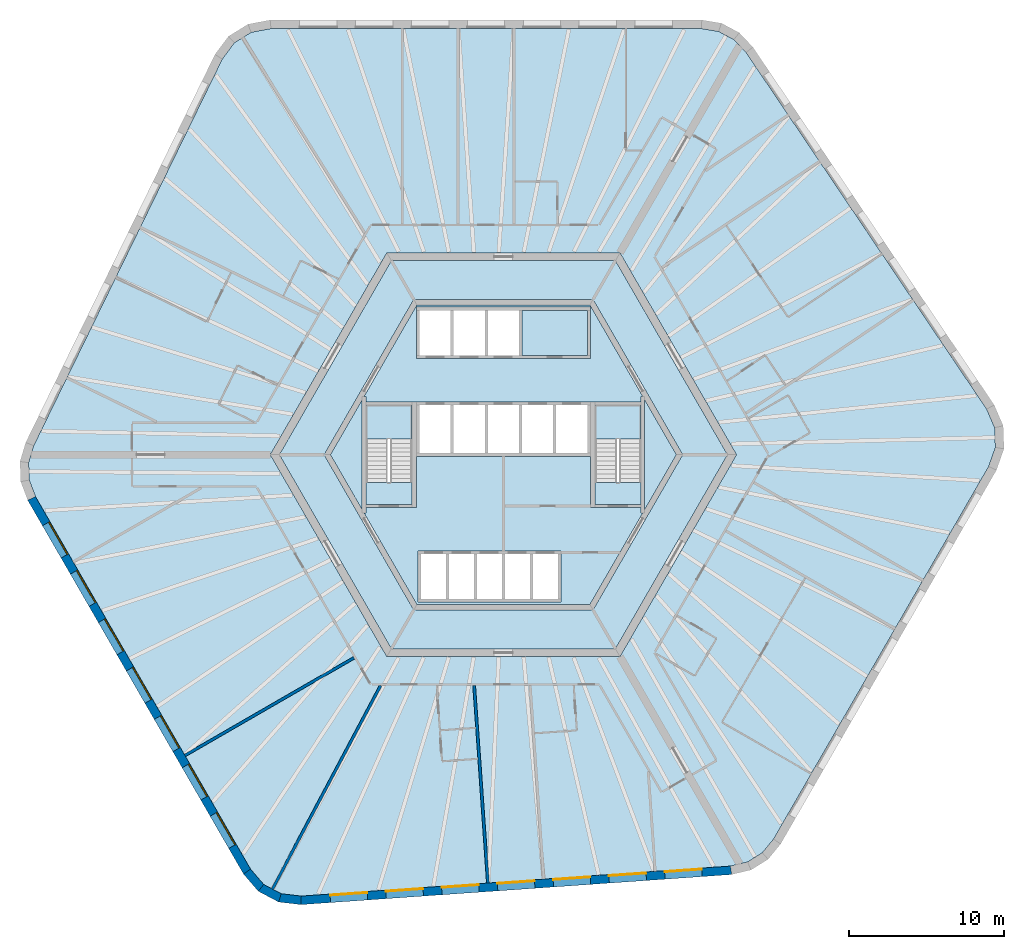
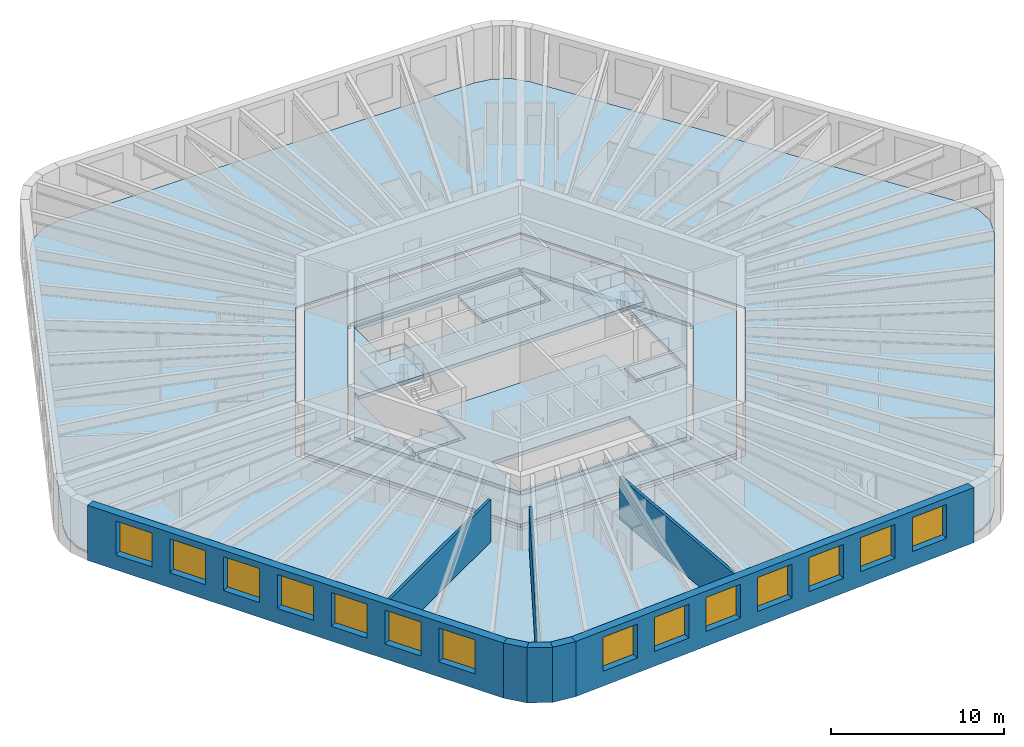
# One storey, part 2 of 9: 14 windows, 11 slabs, 8 walls, 14 openings, 2 elements without a shape of their own.
"""IFC4 building model written with IfcOpenShell, lengths in metres."""

from ifc_helpers import new_model, si_unit, direction, frame, frame_2d, origin, place, context, subcontext, project, spatial, polyline, rectangle, outline, extrude, material, layer, layer_set, type_object, element, fill, aggregate, save


model = new_model("IFC4")

# Units and contexts
model_context = context("Model", 3, precision=1e-05, world=origin(), true_north=direction((0.0, 1.0)))
body_context = subcontext(model_context, "Body", "Model", "MODEL_VIEW")
ifc_project = project(units=[si_unit("LENGTHUNIT", "METRE"), si_unit("AREAUNIT", "SQUARE_METRE"), si_unit("VOLUMEUNIT", "CUBIC_METRE"), si_unit("PLANEANGLEUNIT", "RADIAN"), si_unit("MASSUNIT", "GRAM", prefix="KILO")], contexts=[model_context])

# Site, building, storey
site_placement = place(None, origin())
site = spatial("IfcSite", under=ifc_project, at=site_placement, CompositionType="ELEMENT")
building_placement = place(site_placement, origin())
building = spatial("IfcBuilding", under=site, at=building_placement, Name="Tarnside Tower", CompositionType="ELEMENT")
storey_placement = place(building_placement, frame((0.0, 0.0, 222.89990234375)))
storey = spatial("IfcBuildingStorey", under=building, at=storey_placement, Name="L53", CompositionType="ELEMENT", Elevation=222.89990234375)

# Slabs
ifc_material_1 = material(Name="Concrete C35/45", Category="concrete")
ifc_layer_1 = layer(ifc_material_1, 0.14990234375)
ifc_layer_set_1 = layer_set([ifc_layer_1], Name="Composite floor slab 150")
slab_type_1 = type_object("IfcSlabType", Name="Composite floor slab 150", PredefinedType="FLOOR", material=ifc_layer_set_1)
slab_1_placement = place(storey_placement, frame((0.0, 0.0, -0.14990234375)))
element("IfcSlab", 1, at=slab_1_placement, inside=storey, type_object=slab_type_1, Name="Floor slab L53", PredefinedType="FLOOR", context=body_context, shape_type="SweptSolid", body=[
    extrude(outline(polyline([(13.864013671875, 27.264892578125), (14.85107421875, 26.740234375), (15.6337890625, 25.91064453125), (31.12890625, 2.938232421875), (31.644287109375, 1.7431640625), (31.68896484375, 0.468505859375), (31.258056640625, -0.759521484375), (17.403076171875, -24.7568359375), (16.68017578125, -25.63916015625), (15.732177734375, -26.2314453125), (14.622314453125, -26.494384765625), (-13.02001953125, -28.427490234375), (-14.3125, -28.2763671875), (-15.438720703125, -27.677490234375), (-16.286865234375, -26.6904296875), (-30.1416015625, -2.693115234375), (-30.544189453125, -1.6259765625), (-30.583251953125, -0.5087890625), (-30.256103515625, 0.583984375), (-18.10888671875, 25.4892578125), (-17.331787109375, 26.533203125), (-16.250244140625, 27.208984375), (-14.97119140625, 27.449951171875), (12.738525390625, 27.449951171875), (13.864013671875, 27.264892578125)]), holes=[polyline([(-15.010986328125, 0.0), (-7.505615234375, -13.0), (7.505615234375, -13.0), (15.010986328125, 0.0), (7.505615234375, 13.0), (-7.505615234375, 13.0), (-15.010986328125, 0.0)])]), origin(), (0.0, 0.0, 1.0), 0.14990234375),
])
ifc_material_2 = material(Name="Concrete C40/50", Category="concrete")
ifc_layer_2 = layer(ifc_material_2, 0.25)
ifc_layer_set_2 = layer_set([ifc_layer_2], Name="Core slab C40/50")
slab_type_2 = type_object("IfcSlabType", Name="Core slab C40/50", PredefinedType="FLOOR", material=ifc_layer_set_2)
slab_2_placement = place(storey_placement, frame((0.0, 0.0, -0.25)))
element("IfcSlab", 2, at=slab_2_placement, inside=storey, type_object=slab_type_2, Name="L53 core floor slab 1", PredefinedType="FLOOR", context=body_context, shape_type="SweptSolid", body=[
    extrude(outline(polyline([(-7.216796875, 12.5), (7.216796875, 12.5), (14.433837890625, 0.0), (7.216796875, -12.5), (-7.216796875, -12.5), (-14.433837890625, 0.0), (-7.216796875, 12.5)]), holes=[polyline([(5.823974609375, -9.91259765625), (11.49658203125, -0.08740234375), (11.344970703125, 0.0), (11.49658203125, 0.08740234375), (5.823974609375, 9.91259765625), (5.672607421875, 9.824951171875), (5.672607421875, 10.0), (-5.672607421875, 10.0), (-5.672607421875, 9.824951171875), (-5.823974609375, 9.91259765625), (-11.49658203125, 0.08740234375), (-11.344970703125, 0.0), (-11.49658203125, -0.08740234375), (-5.823974609375, -9.91259765625), (-5.672607421875, -9.824951171875), (-5.672607421875, -10.0), (5.672607421875, -10.0), (5.672607421875, -9.824951171875), (5.823974609375, -9.91259765625)])]), origin(), (0.0, 0.0, 1.0), 0.25),
])
slab_3_placement = place(storey_placement, frame((0.0, 0.0, -0.25)))
element("IfcSlab", 3, at=slab_3_placement, inside=storey, type_object=slab_type_2, Name="L53 core floor slab 2", PredefinedType="FLOOR", context=body_context, shape_type="SweptSolid", body=[
    extrude(outline(polyline([(-8.97509765625, 3.7548828125), (-5.5712890625, 9.64990234375), (5.5712890625, 9.64990234375), (8.97509765625, 3.7548828125), (8.85009765625, 3.7548828125), (8.85009765625, 3.39990234375), (5.89990234375, 3.39990234375), (5.60009765625, 3.39990234375), (5.60009765625, 3.39990234375), (-5.60009765625, 3.39990234375), (-5.89990234375, 3.39990234375), (-8.85009765625, 3.39990234375), (-8.85009765625, 3.7548828125), (-8.97509765625, 3.7548828125)]), holes=[polyline([(-5.60009765625, 6.199951171875), (5.60009765625, 6.199951171875), (5.60009765625, 6.39990234375), (5.60009765625, 9.300048828125), (5.60009765625, 9.5), (-5.60009765625, 9.5), (-5.60009765625, 9.300048828125), (-5.60009765625, 6.39990234375), (-5.60009765625, 6.199951171875)])]), origin(), (0.0, 0.0, 1.0), 0.25),
])
slab_4_placement = place(storey_placement, frame((0.0, 0.0, -0.25)))
element("IfcSlab", 4, at=slab_4_placement, inside=storey, type_object=slab_type_2, Name="L53 core floor slab 3", PredefinedType="FLOOR", context=body_context, shape_type="SweptSolid", body=[
    extrude(outline(polyline([(5.60009765625, -3.39990234375), (5.89990234375, -3.39990234375), (8.85009765625, -3.39990234375), (8.85009765625, -3.7548828125), (8.97509765625, -3.7548828125), (5.5712890625, -9.64990234375), (-5.5712890625, -9.64990234375), (-8.97509765625, -3.7548828125), (-8.85009765625, -3.7548828125), (-8.85009765625, -3.39990234375), (-5.89990234375, -3.39990234375), (-5.60009765625, -3.39990234375), (-5.60009765625, -0.10009765625), (5.60009765625, -0.10009765625), (5.60009765625, -3.39990234375)]), holes=[polyline([(-5.5, -9.300048828125), (-5.5, -9.5), (3.699951171875, -9.5), (3.699951171875, -9.300048828125), (3.699951171875, -6.39990234375), (3.699951171875, -6.199951171875), (-5.5, -6.199951171875), (-5.5, -6.39990234375), (-5.5, -9.300048828125)])]), origin(), (0.0, 0.0, 1.0), 0.25),
])
slab_5_placement = place(storey_placement, frame((0.0, 0.0, -0.25)))
element("IfcSlab", 5, at=slab_5_placement, inside=storey, type_object=slab_type_2, Name="L53 core floor slab 4", PredefinedType="FLOOR", context=body_context, shape_type="SweptSolid", body=[
    extrude(outline(polyline([(-11.142822265625, 0.0), (-9.10009765625, 3.538330078125), (-9.10009765625, -3.538330078125), (-11.142822265625, 0.0)])), origin(), (0.0, 0.0, 1.0), 0.25),
])
slab_6_placement = place(storey_placement, frame((0.0, 0.0, -0.25)))
element("IfcSlab", 6, at=slab_6_placement, inside=storey, type_object=slab_type_2, Name="L53 core floor slab 5", PredefinedType="FLOOR", context=body_context, shape_type="SweptSolid", body=[
    extrude(outline(polyline([(-8.85009765625, -1.800048828125), (-5.89990234375, -1.800048828125), (-5.89990234375, -3.199951171875), (-8.85009765625, -3.199951171875), (-8.85009765625, -1.800048828125)])), origin(), (0.0, 0.0, 1.0), 0.25),
])
slab_7_placement = place(storey_placement, frame((0.0, 0.0, -0.25)))
element("IfcSlab", 7, at=slab_7_placement, inside=storey, type_object=slab_type_2, Name="L53 core floor slab 6", PredefinedType="FLOOR", context=body_context, shape_type="SweptSolid", body=[
    extrude(outline(polyline([(5.89990234375, -3.199951171875), (5.89990234375, -1.800048828125), (8.85009765625, -1.800048828125), (8.85009765625, -3.199951171875), (5.89990234375, -3.199951171875)])), origin(), (0.0, 0.0, 1.0), 0.25),
])
slab_8_placement = place(storey_placement, frame((0.0, 0.0, -0.25)))
element("IfcSlab", 8, at=slab_8_placement, inside=storey, type_object=slab_type_2, Name="L53 core floor slab 7", PredefinedType="FLOOR", context=body_context, shape_type="SweptSolid", body=[
    extrude(outline(polyline([(9.10009765625, -3.538330078125), (9.10009765625, 3.538330078125), (11.142822265625, 0.0), (9.10009765625, -3.538330078125)])), origin(), (0.0, 0.0, 1.0), 0.25),
])
slab_9_placement = place(storey_placement, frame((0.0, 0.0, -0.25)))
element("IfcSlab", 9, at=slab_9_placement, inside=storey, type_object=slab_type_2, Name="L53 core floor slab 8", PredefinedType="FLOOR", context=body_context, shape_type="SweptSolid", body=[
    extrude(outline(polyline([(5.39990234375, 9.300048828125), (5.39990234375, 6.39990234375), (1.199951171875, 6.39990234375), (1.199951171875, 9.300048828125), (5.39990234375, 9.300048828125)])), origin(), (0.0, 0.0, 1.0), 0.25),
])

# Stair, slab
stair_type = type_object("IfcStairType", Name="Exit stair 1400 clear", PredefinedType="HALF_TURN_STAIR", material=ifc_material_2)
stair_1_placement = place(storey_placement, origin())
stair_1 = element("IfcStair", 10, at=stair_1_placement, inside=storey, type_object=stair_type, Name="L53 Exit stair 1", PredefinedType="HALF_TURN_STAIR")
ifc_layer_3 = layer(ifc_material_2, 0.199951171875)
ifc_layer_set_3 = layer_set([ifc_layer_3], Name="Stair landing 200 C40/50")
slab_type_3 = type_object("IfcSlabType", Name="Stair landing 200 C40/50", PredefinedType="LANDING", material=ifc_layer_set_3)
slab_10_placement = place(storey_placement, frame((0.0, 0.0, 1.75)))
slab_10 = element("IfcSlab", 11, at=slab_10_placement, type_object=slab_type_3, Name="ST1 landing 1", PredefinedType="LANDING", context=body_context, shape_type="SweptSolid", body=[
    extrude(outline(polyline([(8.85009765625, 1.0), (8.85009765625, 3.199951171875), (5.89990234375, 3.199951171875), (5.89990234375, 1.0), (8.85009765625, 1.0)])), origin(), (0.0, 0.0, 1.0), 0.2001953125),
])
aggregate(stair_1, [slab_10])

stair_2_placement = place(storey_placement, origin())
stair_2 = element("IfcStair", 12, at=stair_2_placement, inside=storey, type_object=stair_type, Name="L53 Exit stair 2", PredefinedType="HALF_TURN_STAIR")
slab_11_placement = place(storey_placement, frame((0.0, 0.0, 1.75)))
slab_11 = element("IfcSlab", 13, at=slab_11_placement, type_object=slab_type_3, Name="ST2 landing 1", PredefinedType="LANDING", context=body_context, shape_type="SweptSolid", body=[
    extrude(outline(polyline([(-5.89990234375, 1.0), (-5.89990234375, 3.199951171875), (-8.85009765625, 3.199951171875), (-8.85009765625, 1.0), (-5.89990234375, 1.0)])), origin(), (0.0, 0.0, 1.0), 0.2001953125),
])
aggregate(stair_2, [slab_11])

# Walls
ifc_material_3 = material(Name="Gypsum board partition on steel studs", Category="steel")
ifc_layer_4 = layer(ifc_material_3, 0.179931640625)
ifc_layer_set_4 = layer_set([ifc_layer_4], Name="Demising wall 180 EI 60")
wall_type_1 = type_object("IfcWallType", Name="Demising wall 180 EI 60", PredefinedType="PARTITIONING", material=ifc_layer_set_4)
wall_1_placement = place(storey_placement, frame((-20.513427734375, -19.36962890625, 0.0), z_axis=(0.0, 0.0, 1.0), x_axis=(0.866019402111, 0.500010395058, 0.0)))
element("IfcWall", 14, at=wall_1_placement, inside=storey, type_object=wall_type_1, Name="Demising wall 17067", PredefinedType="PARTITIONING", context=body_context, shape_type="SweptSolid", body=[
    extrude(rectangle(XDim=12.574951171875, YDim=0.179931640625, at=frame_2d((6.28759765625, 0.0))), origin(), (0.0, 0.0, 1.0), 2.98779296875),
])
wall_2_placement = place(storey_placement, frame((-14.875732421875, -27.97705078125, 0.0), z_axis=(0.0, 0.0, 1.0), x_axis=(0.469475175214, 0.882945672088, 0.0)))
element("IfcWall", 15, at=wall_2_placement, inside=storey, type_object=wall_type_1, Name="Demising wall 17068", PredefinedType="PARTITIONING", context=body_context, shape_type="SweptSolid", body=[
    extrude(rectangle(XDim=14.839111328125, YDim=0.179931640625, at=frame_2d((7.41943359375, 0.0))), origin(), (0.0, 0.0, 1.0), 2.98779296875),
])
wall_3_placement = place(storey_placement, frame((-0.99609375, -27.586669921875, 0.0), z_axis=(0.0, 0.0, 1.0), x_axis=(-0.069758774678, 0.99756388936, 0.0)))
element("IfcWall", 16, at=wall_3_placement, inside=storey, type_object=wall_type_1, Name="Demising wall 17072", PredefinedType="PARTITIONING", context=body_context, shape_type="SweptSolid", body=[
    extrude(rectangle(XDim=12.74267578125, YDim=0.179931640625, at=frame_2d((6.371337890625, 0.0))), origin(), (0.0, 0.0, 1.0), 2.98779296875),
])

# Wall, openings, windows
ifc_material_4 = material(Name="Facing brick", Category="masonry")
ifc_layer_5 = layer(ifc_material_4, 0.10205078125)
ifc_material_5 = material(Name="Concrete C60/75 precast", Category="concrete")
ifc_layer_6 = layer(ifc_material_5, 0.347900390625)
ifc_material_6 = material(Name="Mineral wool insulation")
ifc_layer_7 = layer(ifc_material_6, 0.10009765625)
ifc_layer_set_5 = layer_set([ifc_layer_5, ifc_layer_6, ifc_layer_7], Name="Tube wall 550 brick faced")
wall_type_2 = type_object("IfcWallType", Name="Tube wall 550 brick faced", PredefinedType="SOLIDWALL", material=ifc_layer_set_5)
wall_4_placement = place(storey_placement, frame((-30.39111328125, -2.81103515625, -0.14990234375), z_axis=(0.0, 0.0, 1.0), x_axis=(0.499998569178, -0.866026229868, 0.0)))
wall_4 = element("IfcWall", 17, at=wall_4_placement, inside=storey, type_object=wall_type_2, Name="Tube wall L53 F3 flush 08", PredefinedType="SOLIDWALL", context=body_context, shape_type="SweptSolid", body=[
    extrude(outline(polyline([(-0.0224609375, -0.27490234375), (27.783447265625, -0.27490234375), (27.732177734375, 0.27490234375), (0.0224609375, 0.27490234375), (-0.0224609375, -0.27490234375)])), origin(), (0.0, 0.0, 1.0), 3.89990234375),
])
opening_1_placement = place(wall_4_placement, frame((1.87890625, 0.0, 1.050048828125)))
opening_1 = element("IfcOpeningElement", 18, at=opening_1_placement, cuts=wall_4, Name="Opening WH", PredefinedType="OPENING", context=body_context, shape_type="SweptSolid", body=[
    extrude(rectangle(XDim=2.39990234375, YDim=2.39990234375, at=frame_2d((1.199951171875, 1.199951171875))), frame((0.0, 0.28515625, 0.0), z_axis=(0.0, -1.0, 0.0), x_axis=(1.0, 0.0, 0.0)), (0.0, 0.0, 1.0), 0.570068359375),
])
opening_2_placement = place(wall_4_placement, frame((5.47900390625, 0.0, 1.050048828125)))
opening_2 = element("IfcOpeningElement", 19, at=opening_2_placement, cuts=wall_4, Name="Opening WH", PredefinedType="OPENING", context=body_context, shape_type="SweptSolid", body=[
    extrude(rectangle(XDim=2.39990234375, YDim=2.39990234375, at=frame_2d((1.199951171875, 1.199951171875))), frame((0.0, 0.28515625, 0.0), z_axis=(0.0, -1.0, 0.0), x_axis=(1.0, 0.0, 0.0)), (0.0, 0.0, 1.0), 0.570068359375),
])
opening_3_placement = place(wall_4_placement, frame((9.078857421875, 0.0, 1.050048828125)))
opening_3 = element("IfcOpeningElement", 20, at=opening_3_placement, cuts=wall_4, Name="Opening WH", PredefinedType="OPENING", context=body_context, shape_type="SweptSolid", body=[
    extrude(rectangle(XDim=2.39990234375, YDim=2.39990234375, at=frame_2d((1.199951171875, 1.199951171875))), frame((0.0, 0.28515625, 0.0), z_axis=(0.0, -1.0, 0.0), x_axis=(1.0, 0.0, 0.0)), (0.0, 0.0, 1.0), 0.570068359375),
])
opening_4_placement = place(wall_4_placement, frame((12.678955078125, 0.0, 1.050048828125)))
opening_4 = element("IfcOpeningElement", 21, at=opening_4_placement, cuts=wall_4, Name="Opening WH", PredefinedType="OPENING", context=body_context, shape_type="SweptSolid", body=[
    extrude(rectangle(XDim=2.39990234375, YDim=2.39990234375, at=frame_2d((1.199951171875, 1.199951171875))), frame((0.0, 0.28515625, 0.0), z_axis=(0.0, -1.0, 0.0), x_axis=(1.0, 0.0, 0.0)), (0.0, 0.0, 1.0), 0.570068359375),
])
opening_5_placement = place(wall_4_placement, frame((16.27880859375, 0.0, 1.050048828125)))
opening_5 = element("IfcOpeningElement", 22, at=opening_5_placement, cuts=wall_4, Name="Opening WH", PredefinedType="OPENING", context=body_context, shape_type="SweptSolid", body=[
    extrude(rectangle(XDim=2.39990234375, YDim=2.39990234375, at=frame_2d((1.199951171875, 1.199951171875))), frame((0.0, 0.28515625, 0.0), z_axis=(0.0, -1.0, 0.0), x_axis=(1.0, 0.0, 0.0)), (0.0, 0.0, 1.0), 0.570068359375),
])
opening_6_placement = place(wall_4_placement, frame((19.87890625, 0.0, 1.050048828125)))
opening_6 = element("IfcOpeningElement", 23, at=opening_6_placement, cuts=wall_4, Name="Opening WH", PredefinedType="OPENING", context=body_context, shape_type="SweptSolid", body=[
    extrude(rectangle(XDim=2.39990234375, YDim=2.39990234375, at=frame_2d((1.199951171875, 1.199951171875))), frame((0.0, 0.28515625, 0.0), z_axis=(0.0, -1.0, 0.0), x_axis=(1.0, 0.0, 0.0)), (0.0, 0.0, 1.0), 0.570068359375),
])
opening_7_placement = place(wall_4_placement, frame((23.47900390625, 0.0, 1.050048828125)))
opening_7 = element("IfcOpeningElement", 24, at=opening_7_placement, cuts=wall_4, Name="Opening WH", PredefinedType="OPENING", context=body_context, shape_type="SweptSolid", body=[
    extrude(rectangle(XDim=2.39990234375, YDim=2.39990234375, at=frame_2d((1.199951171875, 1.199951171875))), frame((0.0, 0.28515625, 0.0), z_axis=(0.0, -1.0, 0.0), x_axis=(1.0, 0.0, 0.0)), (0.0, 0.0, 1.0), 0.570068359375),
])
ifc_material_7 = material(Name="Aluminium-framed double glazing", Category="aluminium")
window_type = type_object("IfcWindowType", Name="Hotel window 2400 x 2400", PartitioningType="DOUBLE_PANEL_VERTICAL", PredefinedType="WINDOW", material=ifc_material_7)
window_1_placement = place(opening_1_placement, frame((0.0, 0.205078125, 0.0)))
window_1 = element("IfcWindow", 25, at=window_1_placement, inside=storey, type_object=window_type, Name="E.WN.L53.F3.00", OverallHeight=2.39990234375, OverallWidth=2.39990234375, PartitioningType="DOUBLE_PANEL_VERTICAL", PredefinedType="WINDOW", context=body_context, shape_type="SweptSolid", body=[
    extrude(rectangle(XDim=2.39990234375, YDim=2.39990234375, at=frame_2d((1.199951171875, 1.199951171875))), frame((0.0, 0.030029296875, 0.0), z_axis=(0.0, -1.0, 0.0), x_axis=(1.0, 0.0, 0.0)), (0.0, 0.0, 1.0), 0.06005859375),
])
fill(opening_1, window_1)
window_2_placement = place(opening_2_placement, frame((0.0, 0.205078125, 0.0)))
window_2 = element("IfcWindow", 26, at=window_2_placement, inside=storey, type_object=window_type, Name="E.WN.L53.F3.01", OverallHeight=2.39990234375, OverallWidth=2.39990234375, PartitioningType="DOUBLE_PANEL_VERTICAL", PredefinedType="WINDOW", context=body_context, shape_type="SweptSolid", body=[
    extrude(rectangle(XDim=2.39990234375, YDim=2.39990234375, at=frame_2d((1.199951171875, 1.199951171875))), frame((0.0, 0.030029296875, 0.0), z_axis=(0.0, -1.0, 0.0), x_axis=(1.0, 0.0, 0.0)), (0.0, 0.0, 1.0), 0.06005859375),
])
fill(opening_2, window_2)
window_3_placement = place(opening_3_placement, frame((0.0, 0.205078125, 0.0)))
window_3 = element("IfcWindow", 27, at=window_3_placement, inside=storey, type_object=window_type, Name="E.WN.L53.F3.02", OverallHeight=2.39990234375, OverallWidth=2.39990234375, PartitioningType="DOUBLE_PANEL_VERTICAL", PredefinedType="WINDOW", context=body_context, shape_type="SweptSolid", body=[
    extrude(rectangle(XDim=2.39990234375, YDim=2.39990234375, at=frame_2d((1.199951171875, 1.199951171875))), frame((0.0, 0.030029296875, 0.0), z_axis=(0.0, -1.0, 0.0), x_axis=(1.0, 0.0, 0.0)), (0.0, 0.0, 1.0), 0.06005859375),
])
fill(opening_3, window_3)
window_4_placement = place(opening_4_placement, frame((0.0, 0.205078125, 0.0)))
window_4 = element("IfcWindow", 28, at=window_4_placement, inside=storey, type_object=window_type, Name="E.WN.L53.F3.03", OverallHeight=2.39990234375, OverallWidth=2.39990234375, PartitioningType="DOUBLE_PANEL_VERTICAL", PredefinedType="WINDOW", context=body_context, shape_type="SweptSolid", body=[
    extrude(rectangle(XDim=2.39990234375, YDim=2.39990234375, at=frame_2d((1.199951171875, 1.199951171875))), frame((0.0, 0.030029296875, 0.0), z_axis=(0.0, -1.0, 0.0), x_axis=(1.0, 0.0, 0.0)), (0.0, 0.0, 1.0), 0.06005859375),
])
fill(opening_4, window_4)
window_5_placement = place(opening_5_placement, frame((0.0, 0.205078125, 0.0)))
window_5 = element("IfcWindow", 29, at=window_5_placement, inside=storey, type_object=window_type, Name="E.WN.L53.F3.04", OverallHeight=2.39990234375, OverallWidth=2.39990234375, PartitioningType="DOUBLE_PANEL_VERTICAL", PredefinedType="WINDOW", context=body_context, shape_type="SweptSolid", body=[
    extrude(rectangle(XDim=2.39990234375, YDim=2.39990234375, at=frame_2d((1.199951171875, 1.199951171875))), frame((0.0, 0.030029296875, 0.0), z_axis=(0.0, -1.0, 0.0), x_axis=(1.0, 0.0, 0.0)), (0.0, 0.0, 1.0), 0.06005859375),
])
fill(opening_5, window_5)
window_6_placement = place(opening_6_placement, frame((0.0, 0.205078125, 0.0)))
window_6 = element("IfcWindow", 30, at=window_6_placement, inside=storey, type_object=window_type, Name="E.WN.L53.F3.05", OverallHeight=2.39990234375, OverallWidth=2.39990234375, PartitioningType="DOUBLE_PANEL_VERTICAL", PredefinedType="WINDOW", context=body_context, shape_type="SweptSolid", body=[
    extrude(rectangle(XDim=2.39990234375, YDim=2.39990234375, at=frame_2d((1.199951171875, 1.199951171875))), frame((0.0, 0.030029296875, 0.0), z_axis=(0.0, -1.0, 0.0), x_axis=(1.0, 0.0, 0.0)), (0.0, 0.0, 1.0), 0.06005859375),
])
fill(opening_6, window_6)
window_7_placement = place(opening_7_placement, frame((0.0, 0.205078125, 0.0)))
window_7 = element("IfcWindow", 31, at=window_7_placement, inside=storey, type_object=window_type, Name="E.WN.L53.F3.06", OverallHeight=2.39990234375, OverallWidth=2.39990234375, PartitioningType="DOUBLE_PANEL_VERTICAL", PredefinedType="WINDOW", context=body_context, shape_type="SweptSolid", body=[
    extrude(rectangle(XDim=2.39990234375, YDim=2.39990234375, at=frame_2d((1.199951171875, 1.199951171875))), frame((0.0, 0.030029296875, 0.0), z_axis=(0.0, -1.0, 0.0), x_axis=(1.0, 0.0, 0.0)), (0.0, 0.0, 1.0), 0.06005859375),
])
fill(opening_7, window_7)

# Walls
wall_5_placement = place(storey_placement, frame((-16.51220703125, -26.85009765625, -0.14990234375), z_axis=(0.0, 0.0, 1.0), x_axis=(0.651621950847, -0.758543890078, 0.0)))
element("IfcWall", 32, at=wall_5_placement, inside=storey, type_object=wall_type_2, Name="Tube wall L53 F3 chord 09", PredefinedType="SOLIDWALL", context=body_context, shape_type="SweptSolid", body=[
    extrude(outline(polyline([(-0.025634765625, -0.27490234375), (1.430908203125, -0.27490234375), (1.327392578125, 0.27490234375), (0.025634765625, 0.27490234375), (-0.025634765625, -0.27490234375)])), origin(), (0.0, 0.0, 1.0), 3.89990234375),
])
wall_6_placement = place(storey_placement, frame((-15.613525390625, -27.896240234375, -0.14990234375), z_axis=(0.0, 0.0, 1.0), x_axis=(0.882994189209, -0.469383917304, 0.0)))
element("IfcWall", 33, at=wall_6_placement, inside=storey, type_object=wall_type_2, Name="Tube wall L53 F3 chord 10", PredefinedType="SOLIDWALL", context=body_context, shape_type="SweptSolid", body=[
    extrude(outline(polyline([(-0.0517578125, -0.27490234375), (1.4306640625, -0.27490234375), (1.3271484375, 0.27490234375), (0.0517578125, 0.27490234375), (-0.0517578125, -0.27490234375)])), origin(), (0.0, 0.0, 1.0), 3.89990234375),
])
wall_7_placement = place(storey_placement, frame((-14.39599609375, -28.54345703125, -0.14990234375), z_axis=(0.0, 0.0, 1.0), x_axis=(0.993232537394, -0.11614269956, 0.0)))
element("IfcWall", 34, at=wall_7_placement, inside=storey, type_object=wall_type_2, Name="Tube wall L53 F3 chord 11", PredefinedType="SOLIDWALL", context=body_context, shape_type="SweptSolid", body=[
    extrude(outline(polyline([(-0.0517578125, -0.27490234375), (1.404541015625, -0.27490234375), (1.353271484375, 0.27490234375), (0.0517578125, 0.27490234375), (-0.0517578125, -0.27490234375)])), origin(), (0.0, 0.0, 1.0), 3.89990234375),
])

# Wall, openings, windows
wall_8_placement = place(storey_placement, frame((-13.0263671875, -28.70361328125, -0.14990234375), z_axis=(0.0, 0.0, 1.0), x_axis=(0.99756406806, 0.069756219185, 0.0)))
wall_8 = element("IfcWall", 35, at=wall_8_placement, inside=storey, type_object=wall_type_2, Name="Tube wall L53 F4 flush 12", PredefinedType="SOLIDWALL", context=body_context, shape_type="SweptSolid", body=[
    extrude(outline(polyline([(-0.025634765625, -0.27490234375), (27.7802734375, -0.27490234375), (27.7353515625, 0.27490234375), (0.025634765625, 0.27490234375), (-0.025634765625, -0.27490234375)])), origin(), (0.0, 0.0, 1.0), 3.89990234375),
])
opening_8_placement = place(wall_8_placement, frame((1.87890625, 0.0, 1.050048828125)))
opening_8 = element("IfcOpeningElement", 36, at=opening_8_placement, cuts=wall_8, Name="Opening WH", PredefinedType="OPENING", context=body_context, shape_type="SweptSolid", body=[
    extrude(rectangle(XDim=2.39990234375, YDim=2.39990234375, at=frame_2d((1.199951171875, 1.199951171875))), frame((0.0, 0.28515625, 0.0), z_axis=(0.0, -1.0, 0.0), x_axis=(1.0, 0.0, 0.0)), (0.0, 0.0, 1.0), 0.570068359375),
])
opening_9_placement = place(wall_8_placement, frame((5.47900390625, 0.0, 1.050048828125)))
opening_9 = element("IfcOpeningElement", 37, at=opening_9_placement, cuts=wall_8, Name="Opening WH", PredefinedType="OPENING", context=body_context, shape_type="SweptSolid", body=[
    extrude(rectangle(XDim=2.39990234375, YDim=2.39990234375, at=frame_2d((1.199951171875, 1.199951171875))), frame((0.0, 0.28515625, 0.0), z_axis=(0.0, -1.0, 0.0), x_axis=(1.0, 0.0, 0.0)), (0.0, 0.0, 1.0), 0.570068359375),
])
opening_10_placement = place(wall_8_placement, frame((9.078857421875, 0.0, 1.050048828125)))
opening_10 = element("IfcOpeningElement", 38, at=opening_10_placement, cuts=wall_8, Name="Opening WH", PredefinedType="OPENING", context=body_context, shape_type="SweptSolid", body=[
    extrude(rectangle(XDim=2.39990234375, YDim=2.39990234375, at=frame_2d((1.199951171875, 1.199951171875))), frame((0.0, 0.28515625, 0.0), z_axis=(0.0, -1.0, 0.0), x_axis=(1.0, 0.0, 0.0)), (0.0, 0.0, 1.0), 0.570068359375),
])
opening_11_placement = place(wall_8_placement, frame((12.678955078125, 0.0, 1.050048828125)))
opening_11 = element("IfcOpeningElement", 39, at=opening_11_placement, cuts=wall_8, Name="Opening WH", PredefinedType="OPENING", context=body_context, shape_type="SweptSolid", body=[
    extrude(rectangle(XDim=2.39990234375, YDim=2.39990234375, at=frame_2d((1.199951171875, 1.199951171875))), frame((0.0, 0.28515625, 0.0), z_axis=(0.0, -1.0, 0.0), x_axis=(1.0, 0.0, 0.0)), (0.0, 0.0, 1.0), 0.570068359375),
])
opening_12_placement = place(wall_8_placement, frame((16.27880859375, 0.0, 1.050048828125)))
opening_12 = element("IfcOpeningElement", 40, at=opening_12_placement, cuts=wall_8, Name="Opening WH", PredefinedType="OPENING", context=body_context, shape_type="SweptSolid", body=[
    extrude(rectangle(XDim=2.39990234375, YDim=2.39990234375, at=frame_2d((1.199951171875, 1.199951171875))), frame((0.0, 0.28515625, 0.0), z_axis=(0.0, -1.0, 0.0), x_axis=(1.0, 0.0, 0.0)), (0.0, 0.0, 1.0), 0.570068359375),
])
opening_13_placement = place(wall_8_placement, frame((19.87890625, 0.0, 1.050048828125)))
opening_13 = element("IfcOpeningElement", 41, at=opening_13_placement, cuts=wall_8, Name="Opening WH", PredefinedType="OPENING", context=body_context, shape_type="SweptSolid", body=[
    extrude(rectangle(XDim=2.39990234375, YDim=2.39990234375, at=frame_2d((1.199951171875, 1.199951171875))), frame((0.0, 0.28515625, 0.0), z_axis=(0.0, -1.0, 0.0), x_axis=(1.0, 0.0, 0.0)), (0.0, 0.0, 1.0), 0.570068359375),
])
opening_14_placement = place(wall_8_placement, frame((23.47900390625, 0.0, 1.050048828125)))
opening_14 = element("IfcOpeningElement", 42, at=opening_14_placement, cuts=wall_8, Name="Opening WH", PredefinedType="OPENING", context=body_context, shape_type="SweptSolid", body=[
    extrude(rectangle(XDim=2.39990234375, YDim=2.39990234375, at=frame_2d((1.199951171875, 1.199951171875))), frame((0.0, 0.28515625, 0.0), z_axis=(0.0, -1.0, 0.0), x_axis=(1.0, 0.0, 0.0)), (0.0, 0.0, 1.0), 0.570068359375),
])
window_8_placement = place(opening_8_placement, frame((0.0, 0.205078125, 0.0)))
window_8 = element("IfcWindow", 43, at=window_8_placement, inside=storey, type_object=window_type, Name="E.WN.L53.F4.00", OverallHeight=2.39990234375, OverallWidth=2.39990234375, PartitioningType="DOUBLE_PANEL_VERTICAL", PredefinedType="WINDOW", context=body_context, shape_type="SweptSolid", body=[
    extrude(rectangle(XDim=2.39990234375, YDim=2.39990234375, at=frame_2d((1.199951171875, 1.199951171875))), frame((0.0, 0.030029296875, 0.0), z_axis=(0.0, -1.0, 0.0), x_axis=(1.0, 0.0, 0.0)), (0.0, 0.0, 1.0), 0.06005859375),
])
fill(opening_8, window_8)
window_9_placement = place(opening_9_placement, frame((0.0, 0.205078125, 0.0)))
window_9 = element("IfcWindow", 44, at=window_9_placement, inside=storey, type_object=window_type, Name="E.WN.L53.F4.01", OverallHeight=2.39990234375, OverallWidth=2.39990234375, PartitioningType="DOUBLE_PANEL_VERTICAL", PredefinedType="WINDOW", context=body_context, shape_type="SweptSolid", body=[
    extrude(rectangle(XDim=2.39990234375, YDim=2.39990234375, at=frame_2d((1.199951171875, 1.199951171875))), frame((0.0, 0.030029296875, 0.0), z_axis=(0.0, -1.0, 0.0), x_axis=(1.0, 0.0, 0.0)), (0.0, 0.0, 1.0), 0.06005859375),
])
fill(opening_9, window_9)
window_10_placement = place(opening_10_placement, frame((0.0, 0.205078125, 0.0)))
window_10 = element("IfcWindow", 45, at=window_10_placement, inside=storey, type_object=window_type, Name="E.WN.L53.F4.02", OverallHeight=2.39990234375, OverallWidth=2.39990234375, PartitioningType="DOUBLE_PANEL_VERTICAL", PredefinedType="WINDOW", context=body_context, shape_type="SweptSolid", body=[
    extrude(rectangle(XDim=2.39990234375, YDim=2.39990234375, at=frame_2d((1.199951171875, 1.199951171875))), frame((0.0, 0.030029296875, 0.0), z_axis=(0.0, -1.0, 0.0), x_axis=(1.0, 0.0, 0.0)), (0.0, 0.0, 1.0), 0.06005859375),
])
fill(opening_10, window_10)
window_11_placement = place(opening_11_placement, frame((0.0, 0.205078125, 0.0)))
window_11 = element("IfcWindow", 46, at=window_11_placement, inside=storey, type_object=window_type, Name="E.WN.L53.F4.03", OverallHeight=2.39990234375, OverallWidth=2.39990234375, PartitioningType="DOUBLE_PANEL_VERTICAL", PredefinedType="WINDOW", context=body_context, shape_type="SweptSolid", body=[
    extrude(rectangle(XDim=2.39990234375, YDim=2.39990234375, at=frame_2d((1.199951171875, 1.199951171875))), frame((0.0, 0.030029296875, 0.0), z_axis=(0.0, -1.0, 0.0), x_axis=(1.0, 0.0, 0.0)), (0.0, 0.0, 1.0), 0.06005859375),
])
fill(opening_11, window_11)
window_12_placement = place(opening_12_placement, frame((0.0, 0.205078125, 0.0)))
window_12 = element("IfcWindow", 47, at=window_12_placement, inside=storey, type_object=window_type, Name="E.WN.L53.F4.04", OverallHeight=2.39990234375, OverallWidth=2.39990234375, PartitioningType="DOUBLE_PANEL_VERTICAL", PredefinedType="WINDOW", context=body_context, shape_type="SweptSolid", body=[
    extrude(rectangle(XDim=2.39990234375, YDim=2.39990234375, at=frame_2d((1.199951171875, 1.199951171875))), frame((0.0, 0.030029296875, 0.0), z_axis=(0.0, -1.0, 0.0), x_axis=(1.0, 0.0, 0.0)), (0.0, 0.0, 1.0), 0.06005859375),
])
fill(opening_12, window_12)
window_13_placement = place(opening_13_placement, frame((0.0, 0.205078125, 0.0)))
window_13 = element("IfcWindow", 48, at=window_13_placement, inside=storey, type_object=window_type, Name="E.WN.L53.F4.05", OverallHeight=2.39990234375, OverallWidth=2.39990234375, PartitioningType="DOUBLE_PANEL_VERTICAL", PredefinedType="WINDOW", context=body_context, shape_type="SweptSolid", body=[
    extrude(rectangle(XDim=2.39990234375, YDim=2.39990234375, at=frame_2d((1.199951171875, 1.199951171875))), frame((0.0, 0.030029296875, 0.0), z_axis=(0.0, -1.0, 0.0), x_axis=(1.0, 0.0, 0.0)), (0.0, 0.0, 1.0), 0.06005859375),
])
fill(opening_13, window_13)
window_14_placement = place(opening_14_placement, frame((0.0, 0.205078125, 0.0)))
window_14 = element("IfcWindow", 49, at=window_14_placement, inside=storey, type_object=window_type, Name="E.WN.L53.F4.06", OverallHeight=2.39990234375, OverallWidth=2.39990234375, PartitioningType="DOUBLE_PANEL_VERTICAL", PredefinedType="WINDOW", context=body_context, shape_type="SweptSolid", body=[
    extrude(rectangle(XDim=2.39990234375, YDim=2.39990234375, at=frame_2d((1.199951171875, 1.199951171875))), frame((0.0, 0.030029296875, 0.0), z_axis=(0.0, -1.0, 0.0), x_axis=(1.0, 0.0, 0.0)), (0.0, 0.0, 1.0), 0.06005859375),
])
fill(opening_14, window_14)

save(model, "model.ifc")
